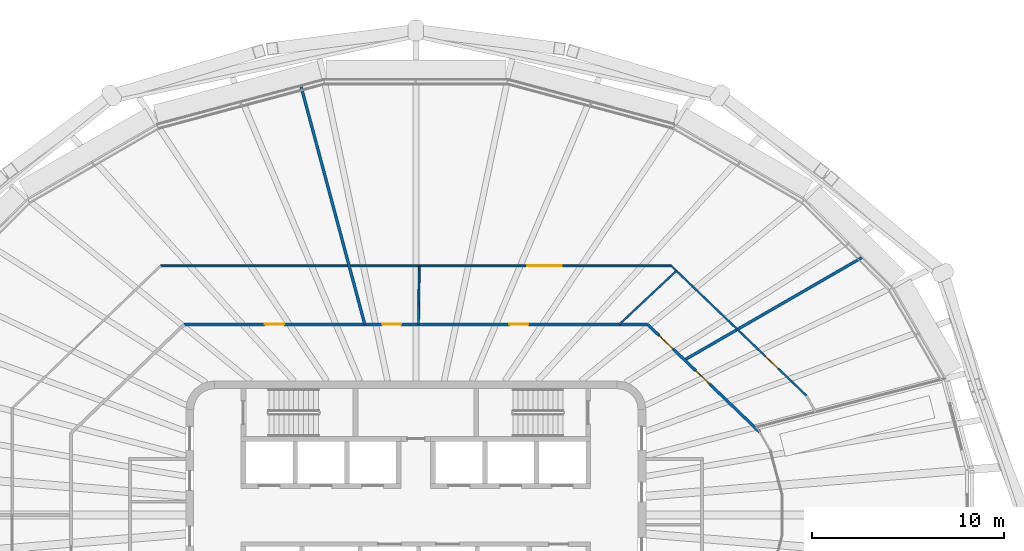
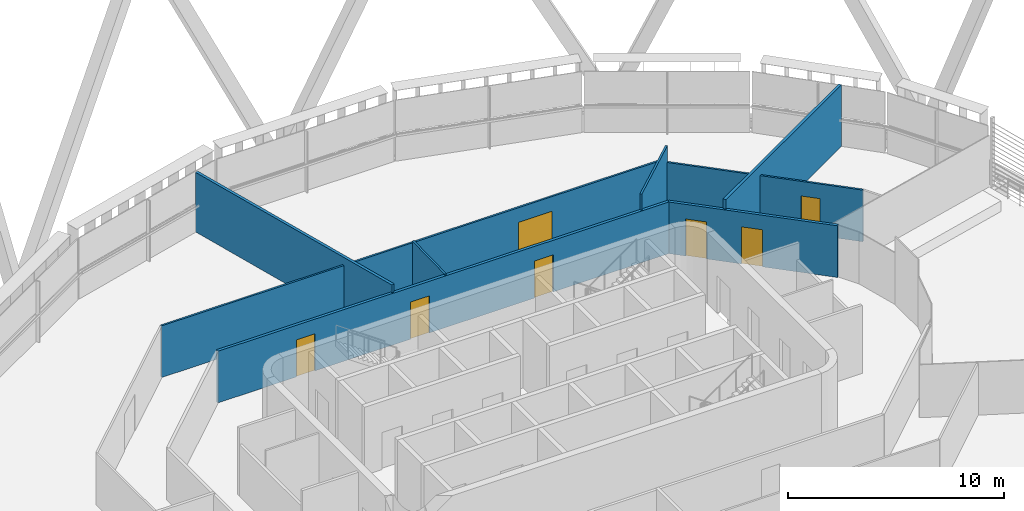
# One storey, part 14 of 22: 8 walls, 7 doors, 7 openings.
"""IFC4 building model written with IfcOpenShell, lengths in metres."""

from ifc_helpers import new_model, si_unit, direction, frame, frame_2d, origin, place, context, subcontext, project, spatial, rectangle, extrude, material, layer, layer_set, type_object, element, fill, save


model = new_model("IFC4")

# Units and contexts
model_context = context("Model", 3, precision=1e-05, world=origin(), true_north=direction((0.0, 1.0)))
body_context = subcontext(model_context, "Body", "Model", "MODEL_VIEW")
ifc_project = project(units=[si_unit("LENGTHUNIT", "METRE"), si_unit("AREAUNIT", "SQUARE_METRE"), si_unit("VOLUMEUNIT", "CUBIC_METRE"), si_unit("PLANEANGLEUNIT", "RADIAN"), si_unit("MASSUNIT", "GRAM", prefix="KILO")], contexts=[model_context])

# Site, building, storey
site_placement = place(None, origin())
site = spatial("IfcSite", under=ifc_project, at=site_placement, CompositionType="ELEMENT")
building_placement = place(site_placement, origin())
building = spatial("IfcBuilding", under=site, at=building_placement, Name="Sahrelin Media Tower", CompositionType="ELEMENT")
storey_placement = place(building_placement, frame((0.0, 0.0, 283.0)))
storey = spatial("IfcBuildingStorey", under=building, at=storey_placement, Name="L62", CompositionType="ELEMENT", Elevation=283.0)

# Wall
ifc_material_1 = material(Name="Fire-rated gypsum board partition")
ifc_layer_1 = layer(ifc_material_1, 0.14990234375)
ifc_layer_set_1 = layer_set([ifc_layer_1], Name="Fire-rated partition 150")
wall_type_1 = type_object("IfcWallType", Name="Fire-rated partition 150", PredefinedType="PARTITIONING", material=ifc_layer_set_1)
wall_1_placement = place(storey_placement, frame((-6.0048828125, 22.4130859375, 0.0), z_axis=(0.0, 0.0, 1.0), x_axis=(0.258777698024, -0.965936904257, 0.0)))
element("IfcWall", 1, at=wall_1_placement, inside=storey, type_object=wall_type_1, Name="Wall", PredefinedType="PARTITIONING", context=body_context, shape_type="SweptSolid", body=[
    extrude(rectangle(XDim=12.9033203125, YDim=0.14990234375, at=frame_2d((6.45166015625, 0.0))), origin(), (0.0, 0.0, 1.0), 3.373046875),
])

# Wall, openings, doors
wall_2_placement = place(storey_placement, frame((12.094970703125, 9.948974609375, 0.0), z_axis=(0.0, 0.0, 1.0), x_axis=(0.721304220257, -0.692618381102, 0.0)))
wall_2 = element("IfcWall", 2, at=wall_2_placement, inside=storey, type_object=wall_type_1, Name="Wall", PredefinedType="PARTITIONING", context=body_context, shape_type="SweptSolid", body=[
    extrude(rectangle(XDim=8.102294921875, YDim=0.14990234375, at=frame_2d((4.05126953125, 0.0))), origin(), (0.0, 0.0, 1.0), 2.927001953125),
])
opening_1_placement = place(wall_2_placement, frame((3.50048828125, 0.0, 0.0)))
opening_1 = element("IfcOpeningElement", 3, at=opening_1_placement, cuts=wall_2, Name="Opening L62-D18", PredefinedType="OPENING", context=body_context, shape_type="SweptSolid", body=[
    extrude(rectangle(XDim=1.0, YDim=2.10009765625, at=frame_2d((0.5, 1.050048828125))), frame((0.0, 0.074951171875, 0.0), z_axis=(0.0, -1.0, 0.0), x_axis=(1.0, 0.0, 0.0)), (0.0, 0.0, 1.0), 0.14990234375),
])
opening_2_placement = place(wall_2_placement, frame((0.838623046875, 0.0, 0.0)))
opening_2 = element("IfcOpeningElement", 4, at=opening_2_placement, cuts=wall_2, Name="Opening L62-D20", PredefinedType="OPENING", context=body_context, shape_type="SweptSolid", body=[
    extrude(rectangle(XDim=1.0, YDim=2.10009765625, at=frame_2d((0.5, 1.050048828125))), frame((0.0, 0.074951171875, 0.0), z_axis=(0.0, -1.0, 0.0), x_axis=(1.0, 0.0, 0.0)), (0.0, 0.0, 1.0), 0.14990234375),
])
ifc_material_2 = material(Name="Steel fire door leaf", Category="steel")
door_type_1 = type_object("IfcDoorType", Name="Fire door 1000 x 2100 EI 60", OperationType="NOTDEFINED", PredefinedType="DOOR", material=ifc_material_2)
door_1_placement = place(opening_1_placement, origin())
door_1 = element("IfcDoor", 5, at=door_1_placement, inside=storey, type_object=door_type_1, Name="Fire door", OperationType="SINGLE_SWING_LEFT", OverallHeight=2.10009765625, OverallWidth=1.0, PredefinedType="DOOR", context=body_context, shape_type="SweptSolid", body=[
    extrude(rectangle(XDim=1.0, YDim=2.10009765625, at=frame_2d((0.5, 1.050048828125))), frame((0.0, 0.02490234375, 0.0), z_axis=(0.0, -1.0, 0.0), x_axis=(1.0, 0.0, 0.0)), (0.0, 0.0, 1.0), 0.050048828125),
])
fill(opening_1, door_1)
door_2_placement = place(opening_2_placement, origin())
door_2 = element("IfcDoor", 6, at=door_2_placement, inside=storey, type_object=door_type_1, Name="Fire door", OperationType="SINGLE_SWING_LEFT", OverallHeight=2.10009765625, OverallWidth=1.0, PredefinedType="DOOR", context=body_context, shape_type="SweptSolid", body=[
    extrude(rectangle(XDim=1.0, YDim=2.10009765625, at=frame_2d((0.5, 1.050048828125))), frame((0.0, 0.02490234375, 0.0), z_axis=(0.0, -1.0, 0.0), x_axis=(1.0, 0.0, 0.0)), (0.0, 0.0, 1.0), 0.050048828125),
])
fill(opening_2, door_2)

wall_3_placement = place(storey_placement, frame((-12.094970703125, 9.948974609375, 0.0), z_axis=(0.0, 0.0, 1.0), x_axis=(1.0, 0.0, 0.0)))
wall_3 = element("IfcWall", 7, at=wall_3_placement, inside=storey, type_object=wall_type_1, Name="Wall", PredefinedType="PARTITIONING", context=body_context, shape_type="SweptSolid", body=[
    extrude(rectangle(XDim=24.18994140625, YDim=0.14990234375, at=frame_2d((12.094970703125, 0.0))), origin(), (0.0, 0.0, 1.0), 2.927001953125),
])
opening_3_placement = place(wall_3_placement, frame((16.968994140625, 0.0, 0.0)))
opening_3 = element("IfcOpeningElement", 8, at=opening_3_placement, cuts=wall_3, Name="Opening L62-D21", PredefinedType="OPENING", context=body_context, shape_type="SweptSolid", body=[
    extrude(rectangle(XDim=1.0, YDim=2.10009765625, at=frame_2d((0.5, 1.050048828125))), frame((0.0, 0.074951171875, 0.0), z_axis=(0.0, -1.0, 0.0), x_axis=(1.0, 0.0, 0.0)), (0.0, 0.0, 1.0), 0.14990234375),
])
opening_4_placement = place(wall_3_placement, frame((10.32958984375, 0.0, 0.0)))
opening_4 = element("IfcOpeningElement", 9, at=opening_4_placement, cuts=wall_3, Name="Opening L62-D22", PredefinedType="OPENING", context=body_context, shape_type="SweptSolid", body=[
    extrude(rectangle(XDim=1.0, YDim=2.10009765625, at=frame_2d((0.5, 1.050048828125))), frame((0.0, 0.074951171875, 0.0), z_axis=(0.0, -1.0, 0.0), x_axis=(1.0, 0.0, 0.0)), (0.0, 0.0, 1.0), 0.14990234375),
])
opening_5_placement = place(wall_3_placement, frame((4.214599609375, 0.0, 0.0)))
opening_5 = element("IfcOpeningElement", 10, at=opening_5_placement, cuts=wall_3, Name="Opening L62-D24", PredefinedType="OPENING", context=body_context, shape_type="SweptSolid", body=[
    extrude(rectangle(XDim=1.0, YDim=2.10009765625, at=frame_2d((0.5, 1.050048828125))), frame((0.0, 0.074951171875, 0.0), z_axis=(0.0, -1.0, 0.0), x_axis=(1.0, 0.0, 0.0)), (0.0, 0.0, 1.0), 0.14990234375),
])
door_3_placement = place(opening_3_placement, origin())
door_3 = element("IfcDoor", 11, at=door_3_placement, inside=storey, type_object=door_type_1, Name="Fire door", OperationType="SINGLE_SWING_RIGHT", OverallHeight=2.10009765625, OverallWidth=1.0, PredefinedType="DOOR", context=body_context, shape_type="SweptSolid", body=[
    extrude(rectangle(XDim=1.0, YDim=2.10009765625, at=frame_2d((0.5, 1.050048828125))), frame((0.0, 0.02490234375, 0.0), z_axis=(0.0, -1.0, 0.0), x_axis=(1.0, 0.0, 0.0)), (0.0, 0.0, 1.0), 0.050048828125),
])
fill(opening_3, door_3)
door_4_placement = place(opening_4_placement, origin())
door_4 = element("IfcDoor", 12, at=door_4_placement, inside=storey, type_object=door_type_1, Name="Fire door", OperationType="SINGLE_SWING_LEFT", OverallHeight=2.10009765625, OverallWidth=1.0, PredefinedType="DOOR", context=body_context, shape_type="SweptSolid", body=[
    extrude(rectangle(XDim=1.0, YDim=2.10009765625, at=frame_2d((0.5, 1.050048828125))), frame((0.0, 0.02490234375, 0.0), z_axis=(0.0, -1.0, 0.0), x_axis=(1.0, 0.0, 0.0)), (0.0, 0.0, 1.0), 0.050048828125),
])
fill(opening_4, door_4)
door_5_placement = place(opening_5_placement, origin())
door_5 = element("IfcDoor", 13, at=door_5_placement, inside=storey, type_object=door_type_1, Name="Fire door", OperationType="SINGLE_SWING_RIGHT", OverallHeight=2.10009765625, OverallWidth=1.0, PredefinedType="DOOR", context=body_context, shape_type="SweptSolid", body=[
    extrude(rectangle(XDim=1.0, YDim=2.10009765625, at=frame_2d((0.5, 1.050048828125))), frame((0.0, 0.02490234375, 0.0), z_axis=(0.0, -1.0, 0.0), x_axis=(1.0, 0.0, 0.0)), (0.0, 0.0, 1.0), 0.050048828125),
])
fill(opening_5, door_5)

# Wall
wall_4_placement = place(storey_placement, frame((14.02392578125, 8.096923828125, 0.0), z_axis=(0.0, 0.0, 1.0), x_axis=(0.866029194659, 0.499993433955, 0.0)))
element("IfcWall", 14, at=wall_4_placement, inside=storey, type_object=wall_type_1, Name="Wall", PredefinedType="PARTITIONING", context=body_context, shape_type="SweptSolid", body=[
    extrude(rectangle(XDim=10.736572265625, YDim=0.14990234375, at=frame_2d((5.3681640625, 0.0))), origin(), (0.0, 0.0, 1.0), 3.47509765625),
])

# Wall, opening, door
ifc_material_3 = material(Name="Gypsum board partition")
ifc_layer_2 = layer(ifc_material_3, 0.10009765625)
ifc_layer_set_2 = layer_set([ifc_layer_2], Name="Partition 100")
wall_type_2 = type_object("IfcWallType", Name="Partition 100", PredefinedType="PARTITIONING", material=ifc_layer_set_2)
wall_5_placement = place(storey_placement, frame((13.325927734375, 13.009033203125, 0.0), z_axis=(0.0, 0.0, 1.0), x_axis=(0.721367860106, -0.692552099416, 0.0)))
wall_5 = element("IfcWall", 15, at=wall_5_placement, inside=storey, type_object=wall_type_2, Name="Wall", PredefinedType="PARTITIONING", context=body_context, shape_type="SweptSolid", body=[
    extrude(rectangle(XDim=9.77734375, YDim=0.10009765625, at=frame_2d((4.888671875, 0.0))), origin(), (0.0, 0.0, 1.0), 2.927001953125),
])
opening_6_placement = place(wall_5_placement, frame((6.830322265625, 0.0, 0.0)))
opening_6 = element("IfcOpeningElement", 16, at=opening_6_placement, cuts=wall_5, Name="Opening L62-D19", PredefinedType="OPENING", context=body_context, shape_type="SweptSolid", body=[
    extrude(rectangle(XDim=0.89990234375, YDim=2.10009765625, at=frame_2d((0.449951171875, 1.050048828125))), frame((0.0, 0.050048828125, 0.0), z_axis=(0.0, -1.0, 0.0), x_axis=(1.0, 0.0, 0.0)), (0.0, 0.0, 1.0), 0.10009765625),
])
ifc_material_4 = material(Name="Timber door leaf", Category="wood")
door_type_2 = type_object("IfcDoorType", Name="Single door 900 x 2100", OperationType="NOTDEFINED", PredefinedType="DOOR", material=ifc_material_4)
door_6_placement = place(opening_6_placement, origin())
door_6 = element("IfcDoor", 17, at=door_6_placement, inside=storey, type_object=door_type_2, Name="Single door", OperationType="SINGLE_SWING_LEFT", OverallHeight=2.10009765625, OverallWidth=0.89990234375, PredefinedType="DOOR", context=body_context, shape_type="SweptSolid", body=[
    extrude(rectangle(XDim=0.89990234375, YDim=2.10009765625, at=frame_2d((0.449951171875, 1.050048828125))), frame((0.0, 0.02490234375, 0.0), z_axis=(0.0, -1.0, 0.0), x_axis=(1.0, 0.0, 0.0)), (0.0, 0.0, 1.0), 0.050048828125),
])
fill(opening_6, door_6)

wall_6_placement = place(storey_placement, frame((-13.325927734375, 13.009033203125, 0.0), z_axis=(0.0, 0.0, 1.0), x_axis=(1.0, 0.0, 0.0)))
wall_6 = element("IfcWall", 18, at=wall_6_placement, inside=storey, type_object=wall_type_2, Name="Wall", PredefinedType="PARTITIONING", context=body_context, shape_type="SweptSolid", body=[
    extrude(rectangle(XDim=26.65185546875, YDim=0.10009765625, at=frame_2d((13.325927734375, 0.0))), origin(), (0.0, 0.0, 1.0), 2.927001953125),
])
opening_7_placement = place(wall_6_placement, frame((19.127197265625, 0.0, 0.0)))
opening_7 = element("IfcOpeningElement", 19, at=opening_7_placement, cuts=wall_6, Name="Opening L62-D23", PredefinedType="OPENING", context=body_context, shape_type="SweptSolid", body=[
    extrude(rectangle(XDim=1.800048828125, YDim=2.10009765625, at=frame_2d((0.89990234375, 1.050048828125))), frame((0.0, 0.050048828125, 0.0), z_axis=(0.0, -1.0, 0.0), x_axis=(1.0, 0.0, 0.0)), (0.0, 0.0, 1.0), 0.10009765625),
])
door_type_3 = type_object("IfcDoorType", Name="Double door 1800 x 2100", OperationType="DOUBLE_DOOR_SINGLE_SWING", PredefinedType="DOOR", material=ifc_material_4)
door_7_placement = place(opening_7_placement, origin())
door_7 = element("IfcDoor", 20, at=door_7_placement, inside=storey, type_object=door_type_3, Name="Double door", OperationType="DOUBLE_DOOR_SINGLE_SWING", OverallHeight=2.10009765625, OverallWidth=1.800048828125, PredefinedType="DOOR", context=body_context, shape_type="SweptSolid", body=[
    extrude(rectangle(XDim=1.800048828125, YDim=2.10009765625, at=frame_2d((0.89990234375, 1.050048828125))), frame((0.0, 0.02490234375, 0.0), z_axis=(0.0, -1.0, 0.0), x_axis=(1.0, 0.0, 0.0)), (0.0, 0.0, 1.0), 0.050048828125),
])
fill(opening_7, door_7)

# Walls
wall_7_placement = place(storey_placement, frame((10.613037109375, 9.948974609375, 0.0), z_axis=(0.0, 0.0, 1.0), x_axis=(0.729444167213, 0.684040354744, 0.0)))
element("IfcWall", 21, at=wall_7_placement, inside=storey, type_object=wall_type_2, Name="Wall", PredefinedType="PARTITIONING", context=body_context, shape_type="SweptSolid", body=[
    extrude(rectangle(XDim=4.092041015625, YDim=0.10009765625, at=frame_2d((2.0458984375, 0.0))), origin(), (0.0, 0.0, 1.0), 3.85009765625),
])
wall_8_placement = place(storey_placement, frame((0.135009765625, 9.948974609375, 0.0), z_axis=(0.0, 0.0, 1.0), x_axis=(0.013721382438, 0.999905857401, 0.0)))
element("IfcWall", 22, at=wall_8_placement, inside=storey, type_object=wall_type_2, Name="Wall", PredefinedType="PARTITIONING", context=body_context, shape_type="SweptSolid", body=[
    extrude(rectangle(XDim=3.060302734375, YDim=0.10009765625, at=frame_2d((1.5302734375, 0.0))), origin(), (0.0, 0.0, 1.0), 2.9951171875),
])

save(model, "model.ifc")
